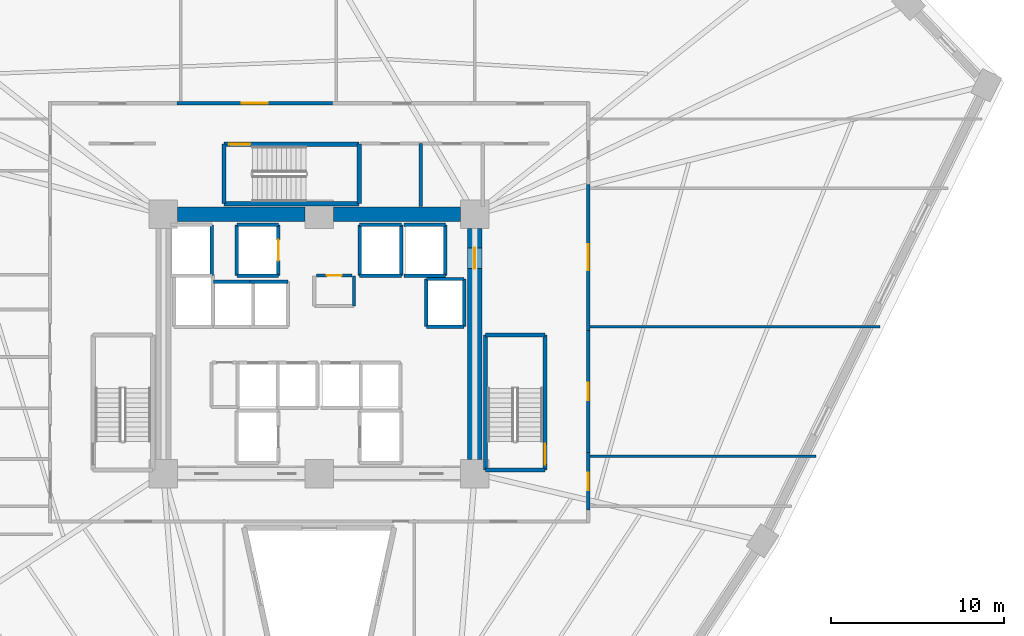
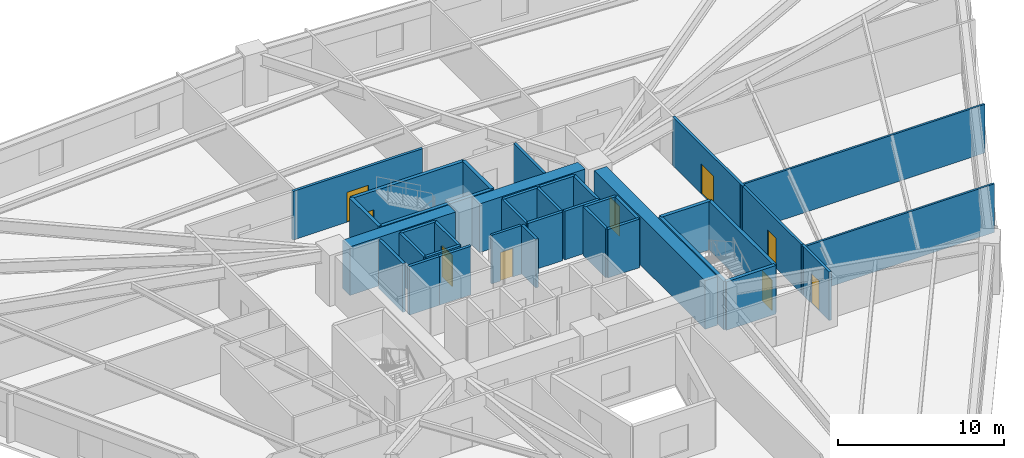
# One storey, part 6 of 9: 38 walls, 9 doors, 9 openings.
"""IFC4 building model written with IfcOpenShell, lengths in metres."""

from ifc_helpers import new_model, si_unit, direction, frame, frame_2d, origin, place, context, subcontext, project, spatial, rectangle, extrude, source, transform, mapped, material, layer, layer_set, type_object, element, fill, save


model = new_model("IFC4")

# Units and contexts
model_context = context("Model", 3, precision=1e-05, world=origin(), true_north=direction((0.0, 1.0)))
body_context = subcontext(model_context, "Body", "Model", "MODEL_VIEW")
ifc_project = project(units=[si_unit("LENGTHUNIT", "METRE"), si_unit("AREAUNIT", "SQUARE_METRE"), si_unit("VOLUMEUNIT", "CUBIC_METRE"), si_unit("PLANEANGLEUNIT", "RADIAN"), si_unit("MASSUNIT", "GRAM", prefix="KILO")], contexts=[model_context])

# Site, building, storey
site_placement = place(None, origin())
site = spatial("IfcSite", under=ifc_project, at=site_placement, CompositionType="ELEMENT")
building_placement = place(site_placement, origin())
building = spatial("IfcBuilding", under=site, at=building_placement, Name="Liaohun Quay Tower", CompositionType="ELEMENT")
storey_placement = place(building_placement, frame((0.0, 0.0, 55.5)))
storey = spatial("IfcBuildingStorey", under=building, at=storey_placement, Name="L14", CompositionType="ELEMENT", Elevation=55.5)

# Walls
ifc_material_1 = material(Name="Concrete C60", Category="concrete")
ifc_layer_1 = layer(ifc_material_1, 0.85009765625, Name="Concrete C60", Category="concrete")
ifc_layer_set_1 = layer_set([ifc_layer_1], Name="Concrete C60")
wall_type_1 = type_object("IfcWallType", Name="WAL-COR-Z1", PredefinedType="SHEAR", material=ifc_layer_set_1)
for number, where, z_axis, x_axis, name in (
    (1, (51.824951171875, 61.5, 0.0), (0.0, 0.0, 1.0), (1.0, 0.0, 0.0), "L14 Central Core Shear Wall N-W"),
    (2, (60.824951171875, 61.5, 0.0), (0.0, 0.0, 1.0), (1.0, 0.0, 0.0), "L14 Central Core Shear Wall N-E"),
):
    element("IfcWall", number, at=place(storey_placement, frame(where, z_axis=z_axis, x_axis=x_axis)), inside=storey, type_object=wall_type_1, Name=name, PredefinedType="SHEAR", context=body_context, shape_type="SweptSolid", body=[
        extrude(rectangle(XDim=7.35009765625, YDim=0.85009765625, at=frame_2d((3.675048828125, 0.0))), origin(), (0.0, 0.0, 1.0), 3.570068359375),
    ])

# Wall, opening, door
wall_1_placement = place(storey_placement, frame((69.0, 60.675048828125, 0.0), z_axis=(0.0, 0.0, 1.0), x_axis=(0.0, -1.0, 0.0)))
wall_1 = element("IfcWall", 3, at=wall_1_placement, inside=storey, type_object=wall_type_1, Name="L14 Central Core Shear Wall E", PredefinedType="SHEAR", context=body_context, shape_type="SweptSolid", body=[
    extrude(rectangle(XDim=13.35009765625, YDim=0.85009765625, at=frame_2d((6.675048828125, 0.0))), origin(), (0.0, 0.0, 1.0), 3.570068359375),
])
shared_shape_1 = source(origin(), body_context, "Body", "SweptSolid", [
    extrude(rectangle(XDim=1.199951171875, YDim=2.199951171875, at=frame_2d((0.60009765625, 1.10009765625))), frame((0.0, 0.43505859375, 0.0), z_axis=(0.0, -1.0, 0.0), x_axis=(1.0, 0.0, 0.0)), (0.0, 0.0, 1.0), 0.8701171875),
])
opening_1_placement = place(wall_1_placement, frame((1.125, 0.0, 0.0)))
opening_1 = element("IfcOpeningElement", 4, at=opening_1_placement, cuts=wall_1, Name="Opening SD1", PredefinedType="OPENING", context=body_context, shape_type="MappedRepresentation", body=[
    mapped(shared_shape_1, transform((0.0, 0.0, 0.0), x_axis=(1.0, 0.0, 0.0), y_axis=(0.0, 1.0, 0.0), z_axis=(0.0, 0.0, 1.0), scale=1.0)),
])
ifc_material_2 = material(Name="Galvanised steel fire door", Category="steel")
door_type_1 = type_object("IfcDoorType", Name="DOR-STR-1200", OperationType="NOTDEFINED", PredefinedType="DOOR", material=ifc_material_2)
shared_shape_2 = source(origin(), body_context, "Body", "SweptSolid", [
    extrude(rectangle(XDim=1.199951171875, YDim=2.199951171875, at=frame_2d((0.60009765625, 1.10009765625))), frame((0.0, 0.02490234375, 0.0), z_axis=(0.0, -1.0, 0.0), x_axis=(1.0, 0.0, 0.0)), (0.0, 0.0, 1.0), 0.050048828125),
])
door_1_placement = place(opening_1_placement, origin())
door_1 = element("IfcDoor", 5, at=door_1_placement, inside=storey, type_object=door_type_1, Name="L14 North-East Core Lobby Smokeproof Door", OperationType="SINGLE_SWING_LEFT", OverallHeight=2.199951171875, OverallWidth=1.199951171875, PredefinedType="DOOR", context=body_context, shape_type="MappedRepresentation", body=[
    mapped(shared_shape_2, transform((0.0, 0.0, 0.0), x_axis=(1.0, 0.0, 0.0), y_axis=(0.0, 1.0, 0.0), z_axis=(0.0, 0.0, 1.0), scale=1.0)),
])
fill(opening_1, door_1)

ifc_material_3 = material(Name="Autoclaved aerated concrete blockwork", Category="masonry")
ifc_layer_2 = layer(ifc_material_3, 0.179931640625, Name="Autoclaved aerated concrete blockwork", Category="masonry")
ifc_layer_set_2 = layer_set([ifc_layer_2], Name="Autoclaved aerated concrete blockwork")
wall_type_2 = type_object("IfcWallType", Name="WAL-PRT-COR", PredefinedType="PARTITIONING", material=ifc_layer_set_2)
wall_2_placement = place(storey_placement, frame((59.840087890625, 57.949951171875, 0.0), z_axis=(0.0, 0.0, 1.0), x_axis=(1.0, 0.0, 0.0)))
wall_2 = element("IfcWall", 6, at=wall_2_placement, inside=storey, type_object=wall_type_2, Name="L14 Interior Partition Wall 001", PredefinedType="PARTITIONING", context=body_context, shape_type="SweptSolid", body=[
    extrude(rectangle(XDim=2.059814453125, YDim=0.179931640625, at=frame_2d((1.02978515625, 0.0))), origin(), (0.0, 0.0, 1.0), 3.570068359375),
])
shared_shape_3 = source(origin(), body_context, "Body", "SweptSolid", [
    extrude(rectangle(XDim=0.85009765625, YDim=2.10009765625, at=frame_2d((0.425048828125, 1.050048828125))), frame((0.0, 0.099853515625, 0.0), z_axis=(0.0, -1.0, 0.0), x_axis=(1.0, 0.0, 0.0)), (0.0, 0.0, 1.0), 0.199951171875),
])
opening_2_placement = place(wall_2_placement, frame((0.60498046875, 0.0, 0.0)))
opening_2 = element("IfcOpeningElement", 7, at=opening_2_placement, cuts=wall_2, Name="Opening AD1", PredefinedType="OPENING", context=body_context, shape_type="MappedRepresentation", body=[
    mapped(shared_shape_3, transform((0.0, 0.0, 0.0), x_axis=(1.0, 0.0, 0.0), y_axis=(0.0, 1.0, 0.0), z_axis=(0.0, 0.0, 1.0), scale=1.0)),
])
ifc_material_4 = material(Name="Steel riser inspection fire door", Category="steel")
door_type_2 = type_object("IfcDoorType", Name="DOR-SHF-850", OperationType="NOTDEFINED", PredefinedType="DOOR", material=ifc_material_4)
shared_shape_4 = source(origin(), body_context, "Body", "SweptSolid", [
    extrude(rectangle(XDim=0.85009765625, YDim=2.10009765625, at=frame_2d((0.425048828125, 1.050048828125))), frame((0.0, 0.02490234375, 0.0), z_axis=(0.0, -1.0, 0.0), x_axis=(1.0, 0.0, 0.0)), (0.0, 0.0, 1.0), 0.050048828125),
])
door_2_placement = place(opening_2_placement, origin())
door_2 = element("IfcDoor", 8, at=door_2_placement, inside=storey, type_object=door_type_2, Name="L14 Core Janitor and Cleaner Store Door", OperationType="SINGLE_SWING_LEFT", OverallHeight=2.10009765625, OverallWidth=0.85009765625, PredefinedType="DOOR", context=body_context, shape_type="MappedRepresentation", body=[
    mapped(shared_shape_4, transform((0.0, 0.0, 0.0), x_axis=(1.0, 0.0, 0.0), y_axis=(0.0, 1.0, 0.0), z_axis=(0.0, 0.0, 1.0), scale=1.0)),
])
fill(opening_2, door_2)

wall_3_placement = place(storey_placement, frame((75.56005859375, 63.215087890625, 0.0), z_axis=(0.0, 0.0, 1.0), x_axis=(0.0, -1.0, 0.0)))
wall_3 = element("IfcWall", 9, at=wall_3_placement, inside=storey, type_object=wall_type_2, Name="L14 Interior Partition Wall 010", PredefinedType="PARTITIONING", context=body_context, shape_type="SweptSolid", body=[
    extrude(rectangle(XDim=8.43017578125, YDim=0.179931640625, at=frame_2d((4.215087890625, 0.0))), origin(), (0.0, 0.0, 1.0), 3.570068359375),
])
shared_shape_5 = source(origin(), body_context, "Body", "SweptSolid", [
    extrude(rectangle(XDim=1.5, YDim=2.199951171875, at=frame_2d((0.75, 1.10009765625))), frame((0.0, 0.099853515625, 0.0), z_axis=(0.0, -1.0, 0.0), x_axis=(1.0, 0.0, 0.0)), (0.0, 0.0, 1.0), 0.199951171875),
])
opening_3_placement = place(wall_3_placement, frame((3.465087890625, 0.0, 0.0)))
opening_3 = element("IfcOpeningElement", 10, at=opening_3_placement, cuts=wall_3, Name="Opening OD2", PredefinedType="OPENING", context=body_context, shape_type="MappedRepresentation", body=[
    mapped(shared_shape_5, transform((0.0, 0.0, 0.0), x_axis=(1.0, 0.0, 0.0), y_axis=(0.0, 1.0, 0.0), z_axis=(0.0, 0.0, 1.0), scale=1.0)),
])
ifc_material_5 = material(Name="Acoustic oak veneer double door")
door_type_3 = type_object("IfcDoorType", Name="DOR-OFF-1500", OperationType="DOUBLE_DOOR_SINGLE_SWING", PredefinedType="DOOR", material=ifc_material_5)
shared_shape_6 = source(origin(), body_context, "Body", "SweptSolid", [
    extrude(rectangle(XDim=1.5, YDim=2.199951171875, at=frame_2d((0.75, 1.10009765625))), frame((0.0, 0.02490234375, 0.0), z_axis=(0.0, -1.0, 0.0), x_axis=(1.0, 0.0, 0.0)), (0.0, 0.0, 1.0), 0.050048828125),
])
door_3_placement = place(opening_3_placement, origin())
door_3 = element("IfcDoor", 11, at=door_3_placement, inside=storey, type_object=door_type_3, Name="L14 Architectural Design Studio 01 Door", OperationType="DOUBLE_DOOR_SINGLE_SWING", OverallHeight=2.199951171875, OverallWidth=1.5, PredefinedType="DOOR", context=body_context, shape_type="MappedRepresentation", body=[
    mapped(shared_shape_6, transform((0.0, 0.0, 0.0), x_axis=(1.0, 0.0, 0.0), y_axis=(0.0, 1.0, 0.0), z_axis=(0.0, 0.0, 1.0), scale=1.0)),
])
fill(opening_3, door_3)

wall_4_placement = place(storey_placement, frame((51.784912109375, 67.909912109375, 0.0), z_axis=(0.0, 0.0, 1.0), x_axis=(1.0, 0.0, 0.0)))
wall_4 = element("IfcWall", 12, at=wall_4_placement, inside=storey, type_object=wall_type_2, Name="L14 Interior Partition Wall 014", PredefinedType="PARTITIONING", context=body_context, shape_type="SweptSolid", body=[
    extrude(rectangle(XDim=9.0, YDim=0.179931640625, at=frame_2d((4.5, 0.0))), origin(), (0.0, 0.0, 1.0), 3.570068359375),
])
opening_4_placement = place(wall_4_placement, frame((3.75, 0.0, 0.0)))
opening_4 = element("IfcOpeningElement", 13, at=opening_4_placement, cuts=wall_4, Name="Opening OD2", PredefinedType="OPENING", context=body_context, shape_type="MappedRepresentation", body=[
    mapped(shared_shape_5, transform((0.0, 0.0, 0.0), x_axis=(1.0, 0.0, 0.0), y_axis=(0.0, 1.0, 0.0), z_axis=(0.0, 0.0, 1.0), scale=1.0)),
])
door_4_placement = place(opening_4_placement, origin())
door_4 = element("IfcDoor", 14, at=door_4_placement, inside=storey, type_object=door_type_3, Name="L14 Digital Prototyping Laboratory 05 Door", OperationType="DOUBLE_DOOR_SINGLE_SWING", OverallHeight=2.199951171875, OverallWidth=1.5, PredefinedType="DOOR", context=body_context, shape_type="MappedRepresentation", body=[
    mapped(shared_shape_6, transform((0.0, 0.0, 0.0), x_axis=(1.0, 0.0, 0.0), y_axis=(0.0, 1.0, 0.0), z_axis=(0.0, 0.0, 1.0), scale=1.0)),
])
fill(opening_4, door_4)

wall_5_placement = place(storey_placement, frame((75.56005859375, 47.715087890625, 0.0), z_axis=(0.0, 0.0, 1.0), x_axis=(0.0, -1.0, 0.0)))
wall_5 = element("IfcWall", 15, at=wall_5_placement, inside=storey, type_object=wall_type_2, Name="L14 Interior Partition Wall 022", PredefinedType="PARTITIONING", context=body_context, shape_type="SweptSolid", body=[
    extrude(rectangle(XDim=3.330078125, YDim=0.179931640625, at=frame_2d((1.6650390625, 0.0))), origin(), (0.0, 0.0, 1.0), 3.570068359375),
])
shared_shape_7 = source(origin(), body_context, "Body", "SweptSolid", [
    extrude(rectangle(XDim=1.0, YDim=2.199951171875, at=frame_2d((0.5, 1.10009765625))), frame((0.0, 0.099853515625, 0.0), z_axis=(0.0, -1.0, 0.0), x_axis=(1.0, 0.0, 0.0)), (0.0, 0.0, 1.0), 0.199951171875),
])
opening_5_placement = place(wall_5_placement, frame((1.1650390625, 0.0, 0.0)))
opening_5 = element("IfcOpeningElement", 16, at=opening_5_placement, cuts=wall_5, Name="Opening OD1", PredefinedType="OPENING", context=body_context, shape_type="MappedRepresentation", body=[
    mapped(shared_shape_7, transform((0.0, 0.0, 0.0), x_axis=(1.0, 0.0, 0.0), y_axis=(0.0, 1.0, 0.0), z_axis=(0.0, 0.0, 1.0), scale=1.0)),
])
ifc_material_6 = material(Name="Solid-core oak veneer timber leaf in steel frame", Category="steel")
door_type_4 = type_object("IfcDoorType", Name="DOR-OFF-1000", OperationType="NOTDEFINED", PredefinedType="DOOR", material=ifc_material_6)
shared_shape_8 = source(origin(), body_context, "Body", "SweptSolid", [
    extrude(rectangle(XDim=1.0, YDim=2.199951171875, at=frame_2d((0.5, 1.10009765625))), frame((0.0, 0.02490234375, 0.0), z_axis=(0.0, -1.0, 0.0), x_axis=(1.0, 0.0, 0.0)), (0.0, 0.0, 1.0), 0.050048828125),
])
door_5_placement = place(opening_5_placement, origin())
door_5 = element("IfcDoor", 17, at=door_5_placement, inside=storey, type_object=door_type_4, Name="L14 Regional Advisory Office 13 Door", OperationType="SINGLE_SWING_RIGHT", OverallHeight=2.199951171875, OverallWidth=1.0, PredefinedType="DOOR", context=body_context, shape_type="MappedRepresentation", body=[
    mapped(shared_shape_8, transform((0.0, 0.0, 0.0), x_axis=(1.0, 0.0, 0.0), y_axis=(0.0, 1.0, 0.0), z_axis=(0.0, 0.0, 1.0), scale=1.0)),
])
fill(opening_5, door_5)

wall_6_placement = place(storey_placement, frame((75.56005859375, 54.784912109375, 0.0), z_axis=(0.0, 0.0, 1.0), x_axis=(0.0, -1.0, 0.0)))
wall_6 = element("IfcWall", 18, at=wall_6_placement, inside=storey, type_object=wall_type_2, Name="L14 Interior Partition Wall 023", PredefinedType="PARTITIONING", context=body_context, shape_type="SweptSolid", body=[
    extrude(rectangle(XDim=7.06982421875, YDim=0.179931640625, at=frame_2d((3.534912109375, 0.0))), origin(), (0.0, 0.0, 1.0), 3.570068359375),
])
opening_6_placement = place(wall_6_placement, frame((3.034912109375, 0.0, 0.0)))
opening_6 = element("IfcOpeningElement", 19, at=opening_6_placement, cuts=wall_6, Name="Opening OD1", PredefinedType="OPENING", context=body_context, shape_type="MappedRepresentation", body=[
    mapped(shared_shape_7, transform((0.0, 0.0, 0.0), x_axis=(1.0, 0.0, 0.0), y_axis=(0.0, 1.0, 0.0), z_axis=(0.0, 0.0, 1.0), scale=1.0)),
])
door_6_placement = place(opening_6_placement, origin())
door_6 = element("IfcDoor", 20, at=door_6_placement, inside=storey, type_object=door_type_4, Name="L14 Project Operations Office 14 Door", OperationType="SINGLE_SWING_LEFT", OverallHeight=2.199951171875, OverallWidth=1.0, PredefinedType="DOOR", context=body_context, shape_type="MappedRepresentation", body=[
    mapped(shared_shape_8, transform((0.0, 0.0, 0.0), x_axis=(1.0, 0.0, 0.0), y_axis=(0.0, 1.0, 0.0), z_axis=(0.0, 0.0, 1.0), scale=1.0)),
])
fill(opening_6, door_6)

# Walls
wall_7_placement = place(storey_placement, frame((62.010009765625, 56.179931640625, 0.0), z_axis=(0.0, 0.0, 1.0), x_axis=(0.0, 1.0, 0.0)))
element("IfcWall", 21, at=wall_7_placement, inside=storey, type_object=wall_type_2, Name="L14 Interior Partition Wall 025", PredefinedType="PARTITIONING", context=body_context, shape_type="SweptSolid", body=[
    extrude(rectangle(XDim=1.739990234375, YDim=0.179931640625, at=frame_2d((0.8701171875, 0.0))), origin(), (0.0, 0.0, 1.0), 3.570068359375),
])
wall_8_placement = place(storey_placement, frame((65.8798828125, 61.949951171875, 0.0), z_axis=(0.0, 0.0, 1.0), x_axis=(0.0, 1.0, 0.0)))
element("IfcWall", 22, at=wall_8_placement, inside=storey, type_object=wall_type_2, Name="L14 Interior Partition Wall 034", PredefinedType="PARTITIONING", context=body_context, shape_type="SweptSolid", body=[
    extrude(rectangle(XDim=3.630126953125, YDim=0.179931640625, at=frame_2d((1.81494140625, 0.0))), origin(), (0.0, 0.0, 1.0), 3.570068359375),
])
ifc_material_7 = material(Name="Gypsum board on twin steel studs", Category="steel")
ifc_layer_3 = layer(ifc_material_7, 0.139892578125, Name="Gypsum board on twin steel studs", Category="steel")
ifc_layer_set_3 = layer_set([ifc_layer_3], Name="Gypsum board on twin steel studs")
wall_type_3 = type_object("IfcWallType", Name="WAL-PRT-OFF", PredefinedType="PARTITIONING", material=ifc_layer_set_3)
wall_9_placement = place(storey_placement, frame((75.4599609375, 47.5, 0.0), z_axis=(0.0, 0.0, 1.0), x_axis=(1.0, 0.0, 0.0)))
element("IfcWall", 23, at=wall_9_placement, inside=storey, type_object=wall_type_3, Name="L14 Interior Partition Wall 047", PredefinedType="PARTITIONING", context=body_context, shape_type="SweptSolid", body=[
    extrude(rectangle(XDim=13.27294921875, YDim=0.139892578125, at=frame_2d((6.636474609375, 0.0))), origin(), (0.0, 0.0, 1.0), 3.570068359375),
])
wall_10_placement = place(storey_placement, frame((75.4599609375, 55.0, 0.0), z_axis=(0.0, 0.0, 1.0), x_axis=(1.0, 0.0, 0.0)))
element("IfcWall", 24, at=wall_10_placement, inside=storey, type_object=wall_type_3, Name="L14 Interior Partition Wall 048", PredefinedType="PARTITIONING", context=body_context, shape_type="SweptSolid", body=[
    extrude(rectangle(XDim=16.958984375, YDim=0.139892578125, at=frame_2d((8.4794921875, 0.0))), origin(), (0.0, 0.0, 1.0), 3.570068359375),
])
ifc_material_8 = material(Name="Concrete C50", Category="concrete")
ifc_layer_4 = layer(ifc_material_8, 0.239990234375, Name="Concrete C50", Category="concrete")
ifc_layer_set_4 = layer_set([ifc_layer_4], Name="Concrete C50")
wall_type_4 = type_object("IfcWallType", Name="WAL-SHF-200", PredefinedType="SOLIDWALL", material=ifc_layer_set_4)
wall_11_placement = place(storey_placement, frame((69.6201171875, 46.699951171875, 0.0), z_axis=(0.0, 0.0, 1.0), x_axis=(1.0, 0.0, 0.0)))
element("IfcWall", 25, at=wall_11_placement, inside=storey, type_object=wall_type_4, Name="L14 Stairwell ST-2 Structural Core Wall S", PredefinedType="SOLIDWALL", context=body_context, shape_type="SweptSolid", body=[
    extrude(rectangle(XDim=3.43994140625, YDim=0.239990234375, at=frame_2d((1.719970703125, 0.0))), origin(), (0.0, 0.0, 1.0), 3.570068359375),
])

# Wall, opening, door
wall_12_placement = place(storey_placement, frame((73.06005859375, 46.699951171875, 0.0), z_axis=(0.0, 0.0, 1.0), x_axis=(0.0, 1.0, 0.0)))
wall_12 = element("IfcWall", 26, at=wall_12_placement, inside=storey, type_object=wall_type_4, Name="L14 Stairwell ST-2 Structural Core Wall E", PredefinedType="SOLIDWALL", context=body_context, shape_type="SweptSolid", body=[
    extrude(rectangle(XDim=7.820068359375, YDim=0.239990234375, at=frame_2d((3.91015625, 0.0))), origin(), (0.0, 0.0, 1.0), 3.570068359375),
])
shared_shape_9 = source(origin(), body_context, "Body", "SweptSolid", [
    extrude(rectangle(XDim=1.199951171875, YDim=2.199951171875, at=frame_2d((0.60009765625, 1.10009765625))), frame((0.0, 0.1298828125, 0.0), z_axis=(0.0, -1.0, 0.0), x_axis=(1.0, 0.0, 0.0)), (0.0, 0.0, 1.0), 0.260009765625),
])
opening_7_placement = place(wall_12_placement, frame((0.320068359375, 0.0, 0.0)))
opening_7 = element("IfcOpeningElement", 27, at=opening_7_placement, cuts=wall_12, Name="Opening SD1", PredefinedType="OPENING", context=body_context, shape_type="MappedRepresentation", body=[
    mapped(shared_shape_9, transform((0.0, 0.0, 0.0), x_axis=(1.0, 0.0, 0.0), y_axis=(0.0, 1.0, 0.0), z_axis=(0.0, 0.0, 1.0), scale=1.0)),
])
door_7_placement = place(opening_7_placement, origin())
door_7 = element("IfcDoor", 28, at=door_7_placement, inside=storey, type_object=door_type_1, Name="L14 Protected Stair ST-2 Fire Door", OperationType="SINGLE_SWING_RIGHT", OverallHeight=2.199951171875, OverallWidth=1.199951171875, PredefinedType="DOOR", context=body_context, shape_type="MappedRepresentation", body=[
    mapped(shared_shape_2, transform((0.0, 0.0, 0.0), x_axis=(1.0, 0.0, 0.0), y_axis=(0.0, 1.0, 0.0), z_axis=(0.0, 0.0, 1.0), scale=1.0)),
])
fill(opening_7, door_7)

# Walls
wall_13_placement = place(storey_placement, frame((73.06005859375, 54.52001953125, 0.0), z_axis=(0.0, 0.0, 1.0), x_axis=(-1.0, 0.0, 0.0)))
element("IfcWall", 29, at=wall_13_placement, inside=storey, type_object=wall_type_4, Name="L14 Stairwell ST-2 Structural Core Wall N", PredefinedType="SOLIDWALL", context=body_context, shape_type="SweptSolid", body=[
    extrude(rectangle(XDim=3.43994140625, YDim=0.239990234375, at=frame_2d((1.719970703125, 0.0))), origin(), (0.0, 0.0, 1.0), 3.570068359375),
])
for number, where, z_axis, x_axis, name in (
    (30, (69.6201171875, 54.52001953125, 0.0), (0.0, 0.0, 1.0), (0.0, -1.0, 0.0), "L14 Stairwell ST-2 Structural Core Wall W"),
    (31, (54.5, 62.10009765625, 0.0), (0.0, 0.0, 1.0), (1.0, 0.0, 0.0), "L14 Stairwell ST-3 Structural Core Wall S"),
):
    element("IfcWall", number, at=place(storey_placement, frame(where, z_axis=z_axis, x_axis=x_axis)), inside=storey, type_object=wall_type_4, Name=name, PredefinedType="SOLIDWALL", context=body_context, shape_type="SweptSolid", body=[
        extrude(rectangle(XDim=7.820068359375, YDim=0.239990234375, at=frame_2d((3.91015625, 0.0))), origin(), (0.0, 0.0, 1.0), 3.570068359375),
    ])
wall_14_placement = place(storey_placement, frame((62.320068359375, 62.10009765625, 0.0), z_axis=(0.0, 0.0, 1.0), x_axis=(0.0, 1.0, 0.0)))
element("IfcWall", 32, at=wall_14_placement, inside=storey, type_object=wall_type_4, Name="L14 Stairwell ST-3 Structural Core Wall E", PredefinedType="SOLIDWALL", context=body_context, shape_type="SweptSolid", body=[
    extrude(rectangle(XDim=3.43994140625, YDim=0.239990234375, at=frame_2d((1.719970703125, 0.0))), origin(), (0.0, 0.0, 1.0), 3.570068359375),
])

# Wall, opening, door
wall_15_placement = place(storey_placement, frame((62.320068359375, 65.5400390625, 0.0), z_axis=(0.0, 0.0, 1.0), x_axis=(-1.0, 0.0, 0.0)))
wall_15 = element("IfcWall", 33, at=wall_15_placement, inside=storey, type_object=wall_type_4, Name="L14 Stairwell ST-3 Structural Core Wall N", PredefinedType="SOLIDWALL", context=body_context, shape_type="SweptSolid", body=[
    extrude(rectangle(XDim=7.820068359375, YDim=0.239990234375, at=frame_2d((3.91015625, 0.0))), origin(), (0.0, 0.0, 1.0), 3.570068359375),
])
opening_8_placement = place(wall_15_placement, frame((6.300048828125, 0.0, 0.0)))
opening_8 = element("IfcOpeningElement", 34, at=opening_8_placement, cuts=wall_15, Name="Opening SD1", PredefinedType="OPENING", context=body_context, shape_type="MappedRepresentation", body=[
    mapped(shared_shape_9, transform((0.0, 0.0, 0.0), x_axis=(1.0, 0.0, 0.0), y_axis=(0.0, 1.0, 0.0), z_axis=(0.0, 0.0, 1.0), scale=1.0)),
])
door_8_placement = place(opening_8_placement, origin())
door_8 = element("IfcDoor", 35, at=door_8_placement, inside=storey, type_object=door_type_1, Name="L14 Protected Stair ST-3 Fire Door", OperationType="SINGLE_SWING_RIGHT", OverallHeight=2.199951171875, OverallWidth=1.199951171875, PredefinedType="DOOR", context=body_context, shape_type="MappedRepresentation", body=[
    mapped(shared_shape_2, transform((0.0, 0.0, 0.0), x_axis=(1.0, 0.0, 0.0), y_axis=(0.0, 1.0, 0.0), z_axis=(0.0, 0.0, 1.0), scale=1.0)),
])
fill(opening_8, door_8)

# Walls
wall_16_placement = place(storey_placement, frame((54.5, 65.5400390625, 0.0), z_axis=(0.0, 0.0, 1.0), x_axis=(0.0, -1.0, 0.0)))
element("IfcWall", 36, at=wall_16_placement, inside=storey, type_object=wall_type_4, Name="L14 Stairwell ST-3 Structural Core Wall W", PredefinedType="SOLIDWALL", context=body_context, shape_type="SweptSolid", body=[
    extrude(rectangle(XDim=3.43994140625, YDim=0.239990234375, at=frame_2d((1.719970703125, 0.0))), origin(), (0.0, 0.0, 1.0), 3.570068359375),
])
wall_17_placement = place(storey_placement, frame((55.25, 57.949951171875, 0.0), z_axis=(0.0, 0.0, 1.0), x_axis=(1.0, 0.0, 0.0)))
element("IfcWall", 37, at=wall_17_placement, inside=storey, type_object=wall_type_4, Name="L14 Lift FF-03 Hoistway Wall S", PredefinedType="SOLIDWALL", context=body_context, shape_type="SweptSolid", body=[
    extrude(rectangle(XDim=2.39990234375, YDim=0.199951171875, at=frame_2d((1.199951171875, 0.0))), origin(), (0.0, 0.0, 1.0), 3.570068359375),
])

# Wall, opening, door
wall_18_placement = place(storey_placement, frame((57.64990234375, 57.949951171875, 0.0), z_axis=(0.0, 0.0, 1.0), x_axis=(0.0, 1.0, 0.0)))
wall_18 = element("IfcWall", 38, at=wall_18_placement, inside=storey, type_object=wall_type_4, Name="L14 Lift FF-03 Hoistway Wall E", PredefinedType="SOLIDWALL", context=body_context, shape_type="SweptSolid", body=[
    extrude(rectangle(XDim=2.929931640625, YDim=0.199951171875, at=frame_2d((1.46484375, 0.0))), origin(), (0.0, 0.0, 1.0), 3.570068359375),
])
shared_shape_10 = source(origin(), body_context, "Body", "SweptSolid", [
    extrude(rectangle(XDim=1.199951171875, YDim=2.300048828125, at=frame_2d((0.60009765625, 1.14990234375))), frame((0.0, 0.10986328125, 0.0), z_axis=(0.0, -1.0, 0.0), x_axis=(1.0, 0.0, 0.0)), (0.0, 0.0, 1.0), 0.219970703125),
])
opening_9_placement = place(wall_18_placement, frame((0.864990234375, 0.0, 0.0)))
opening_9 = element("IfcOpeningElement", 39, at=opening_9_placement, cuts=wall_18, Name="Opening LD2", PredefinedType="OPENING", context=body_context, shape_type="MappedRepresentation", body=[
    mapped(shared_shape_10, transform((0.0, 0.0, 0.0), x_axis=(1.0, 0.0, 0.0), y_axis=(0.0, 1.0, 0.0), z_axis=(0.0, 0.0, 1.0), scale=1.0)),
])
ifc_material_9 = material(Name="Brushed stainless steel stretcher landing door", Category="steel")
door_type_5 = type_object("IfcDoorType", Name="DOR-LFT-1200", OperationType="SLIDING_TO_LEFT", PredefinedType="DOOR", material=ifc_material_9)
shared_shape_11 = source(origin(), body_context, "Body", "SweptSolid", [
    extrude(rectangle(XDim=1.199951171875, YDim=2.300048828125, at=frame_2d((0.60009765625, 1.14990234375))), frame((0.0, 0.02490234375, 0.0), z_axis=(0.0, -1.0, 0.0), x_axis=(1.0, 0.0, 0.0)), (0.0, 0.0, 1.0), 0.050048828125),
])
door_9_placement = place(opening_9_placement, origin())
door_9 = element("IfcDoor", 40, at=door_9_placement, inside=storey, type_object=door_type_5, Name="L14 Lift FF-03 Sliding Landing Door", OperationType="SLIDING_TO_LEFT", OverallHeight=2.300048828125, OverallWidth=1.199951171875, PredefinedType="DOOR", context=body_context, shape_type="MappedRepresentation", body=[
    mapped(shared_shape_11, transform((0.0, 0.0, 0.0), x_axis=(1.0, 0.0, 0.0), y_axis=(0.0, 1.0, 0.0), z_axis=(0.0, 0.0, 1.0), scale=1.0)),
])
fill(opening_9, door_9)

# Walls
wall_19_placement = place(storey_placement, frame((57.64990234375, 60.8798828125, 0.0), z_axis=(0.0, 0.0, 1.0), x_axis=(-1.0, 0.0, 0.0)))
element("IfcWall", 41, at=wall_19_placement, inside=storey, type_object=wall_type_4, Name="L14 Lift FF-03 Hoistway Wall N", PredefinedType="SOLIDWALL", context=body_context, shape_type="SweptSolid", body=[
    extrude(rectangle(XDim=2.39990234375, YDim=0.199951171875, at=frame_2d((1.199951171875, 0.0))), origin(), (0.0, 0.0, 1.0), 3.570068359375),
])
wall_20_placement = place(storey_placement, frame((55.25, 60.8798828125, 0.0), z_axis=(0.0, 0.0, 1.0), x_axis=(0.0, -1.0, 0.0)))
element("IfcWall", 42, at=wall_20_placement, inside=storey, type_object=wall_type_4, Name="L14 Lift FF-03 Hoistway Wall W", PredefinedType="SOLIDWALL", context=body_context, shape_type="SweptSolid", body=[
    extrude(rectangle(XDim=2.929931640625, YDim=0.199951171875, at=frame_2d((1.46484375, 0.0))), origin(), (0.0, 0.0, 1.0), 3.570068359375),
])
wall_21_placement = place(storey_placement, frame((62.35009765625, 57.949951171875, 0.0), z_axis=(0.0, 0.0, 1.0), x_axis=(1.0, 0.0, 0.0)))
element("IfcWall", 43, at=wall_21_placement, inside=storey, type_object=wall_type_4, Name="L14 Lift OB-01 Hoistway Wall S", PredefinedType="SOLIDWALL", context=body_context, shape_type="SweptSolid", body=[
    extrude(rectangle(XDim=2.39990234375, YDim=0.199951171875, at=frame_2d((1.199951171875, 0.0))), origin(), (0.0, 0.0, 1.0), 3.570068359375),
])
wall_22_placement = place(storey_placement, frame((64.75, 57.949951171875, 0.0), z_axis=(0.0, 0.0, 1.0), x_axis=(0.0, 1.0, 0.0)))
element("IfcWall", 44, at=wall_22_placement, inside=storey, type_object=wall_type_4, Name="L14 Lift OB-01 Hoistway Wall E", PredefinedType="SOLIDWALL", context=body_context, shape_type="SweptSolid", body=[
    extrude(rectangle(XDim=2.929931640625, YDim=0.199951171875, at=frame_2d((1.46484375, 0.0))), origin(), (0.0, 0.0, 1.0), 3.570068359375),
])
wall_23_placement = place(storey_placement, frame((64.75, 60.8798828125, 0.0), z_axis=(0.0, 0.0, 1.0), x_axis=(-1.0, 0.0, 0.0)))
element("IfcWall", 45, at=wall_23_placement, inside=storey, type_object=wall_type_4, Name="L14 Lift OB-01 Hoistway Wall N", PredefinedType="SOLIDWALL", context=body_context, shape_type="SweptSolid", body=[
    extrude(rectangle(XDim=2.39990234375, YDim=0.199951171875, at=frame_2d((1.199951171875, 0.0))), origin(), (0.0, 0.0, 1.0), 3.570068359375),
])
wall_24_placement = place(storey_placement, frame((62.35009765625, 60.8798828125, 0.0), z_axis=(0.0, 0.0, 1.0), x_axis=(0.0, -1.0, 0.0)))
element("IfcWall", 46, at=wall_24_placement, inside=storey, type_object=wall_type_4, Name="L14 Lift OB-01 Hoistway Wall W", PredefinedType="SOLIDWALL", context=body_context, shape_type="SweptSolid", body=[
    extrude(rectangle(XDim=2.929931640625, YDim=0.199951171875, at=frame_2d((1.46484375, 0.0))), origin(), (0.0, 0.0, 1.0), 3.570068359375),
])
wall_25_placement = place(storey_placement, frame((64.89990234375, 57.949951171875, 0.0), z_axis=(0.0, 0.0, 1.0), x_axis=(1.0, 0.0, 0.0)))
element("IfcWall", 47, at=wall_25_placement, inside=storey, type_object=wall_type_4, Name="L14 Lift OB-02 Hoistway Wall S", PredefinedType="SOLIDWALL", context=body_context, shape_type="SweptSolid", body=[
    extrude(rectangle(XDim=2.400146484375, YDim=0.199951171875, at=frame_2d((1.2001953125, 0.0))), origin(), (0.0, 0.0, 1.0), 3.570068359375),
])
wall_26_placement = place(storey_placement, frame((67.300048828125, 57.949951171875, 0.0), z_axis=(0.0, 0.0, 1.0), x_axis=(0.0, 1.0, 0.0)))
element("IfcWall", 48, at=wall_26_placement, inside=storey, type_object=wall_type_4, Name="L14 Lift OB-02 Hoistway Wall E", PredefinedType="SOLIDWALL", context=body_context, shape_type="SweptSolid", body=[
    extrude(rectangle(XDim=2.929931640625, YDim=0.199951171875, at=frame_2d((1.46484375, 0.0))), origin(), (0.0, 0.0, 1.0), 3.570068359375),
])
wall_27_placement = place(storey_placement, frame((67.300048828125, 60.8798828125, 0.0), z_axis=(0.0, 0.0, 1.0), x_axis=(-1.0, 0.0, 0.0)))
element("IfcWall", 49, at=wall_27_placement, inside=storey, type_object=wall_type_4, Name="L14 Lift OB-02 Hoistway Wall N", PredefinedType="SOLIDWALL", context=body_context, shape_type="SweptSolid", body=[
    extrude(rectangle(XDim=2.400146484375, YDim=0.199951171875, at=frame_2d((1.2001953125, 0.0))), origin(), (0.0, 0.0, 1.0), 3.570068359375),
])
wall_28_placement = place(storey_placement, frame((53.800048828125, 57.949951171875, 0.0), z_axis=(0.0, 0.0, 1.0), x_axis=(0.0, 1.0, 0.0)))
element("IfcWall", 50, at=wall_28_placement, inside=storey, type_object=wall_type_4, Name="L14 Lift SH-01 Hoistway Wall E", PredefinedType="SOLIDWALL", context=body_context, shape_type="SweptSolid", body=[
    extrude(rectangle(XDim=2.929931640625, YDim=0.199951171875, at=frame_2d((1.46484375, 0.0))), origin(), (0.0, 0.0, 1.0), 3.570068359375),
])
wall_29_placement = place(storey_placement, frame((66.199951171875, 55.0, 0.0), z_axis=(0.0, 0.0, 1.0), x_axis=(1.0, 0.0, 0.0)))
element("IfcWall", 51, at=wall_29_placement, inside=storey, type_object=wall_type_4, Name="L14 Lift SH-03 Hoistway Wall S", PredefinedType="SOLIDWALL", context=body_context, shape_type="SweptSolid", body=[
    extrude(rectangle(XDim=2.179931640625, YDim=0.199951171875, at=frame_2d((1.08984375, 0.0))), origin(), (0.0, 0.0, 1.0), 3.570068359375),
])
wall_30_placement = place(storey_placement, frame((68.3798828125, 55.0, 0.0), z_axis=(0.0, 0.0, 1.0), x_axis=(0.0, 1.0, 0.0)))
element("IfcWall", 52, at=wall_30_placement, inside=storey, type_object=wall_type_4, Name="L14 Lift SH-03 Hoistway Wall E", PredefinedType="SOLIDWALL", context=body_context, shape_type="SweptSolid", body=[
    extrude(rectangle(XDim=2.75, YDim=0.199951171875, at=frame_2d((1.375, 0.0))), origin(), (0.0, 0.0, 1.0), 3.570068359375),
])
wall_31_placement = place(storey_placement, frame((68.3798828125, 57.75, 0.0), z_axis=(0.0, 0.0, 1.0), x_axis=(-1.0, 0.0, 0.0)))
element("IfcWall", 53, at=wall_31_placement, inside=storey, type_object=wall_type_4, Name="L14 Lift SH-03 Hoistway Wall N", PredefinedType="SOLIDWALL", context=body_context, shape_type="SweptSolid", body=[
    extrude(rectangle(XDim=2.179931640625, YDim=0.199951171875, at=frame_2d((1.08984375, 0.0))), origin(), (0.0, 0.0, 1.0), 3.570068359375),
])
wall_32_placement = place(storey_placement, frame((66.199951171875, 57.75, 0.0), z_axis=(0.0, 0.0, 1.0), x_axis=(0.0, -1.0, 0.0)))
element("IfcWall", 54, at=wall_32_placement, inside=storey, type_object=wall_type_4, Name="L14 Lift SH-03 Hoistway Wall W", PredefinedType="SOLIDWALL", context=body_context, shape_type="SweptSolid", body=[
    extrude(rectangle(XDim=2.75, YDim=0.199951171875, at=frame_2d((1.375, 0.0))), origin(), (0.0, 0.0, 1.0), 3.570068359375),
])
wall_33_placement = place(storey_placement, frame((56.199951171875, 57.60009765625, 0.0), z_axis=(0.0, 0.0, 1.0), x_axis=(-1.0, 0.0, 0.0)))
element("IfcWall", 55, at=wall_33_placement, inside=storey, type_object=wall_type_4, Name="L14 Lift PL-2B Hoistway Wall N", PredefinedType="SOLIDWALL", context=body_context, shape_type="SweptSolid", body=[
    extrude(rectangle(XDim=2.300048828125, YDim=0.199951171875, at=frame_2d((1.14990234375, 0.0))), origin(), (0.0, 0.0, 1.0), 3.570068359375),
])
wall_34_placement = place(storey_placement, frame((58.199951171875, 57.60009765625, 0.0), z_axis=(0.0, 0.0, 1.0), x_axis=(-1.0, 0.0, 0.0)))
element("IfcWall", 56, at=wall_34_placement, inside=storey, type_object=wall_type_4, Name="L14 Lift PL-2C Hoistway Wall N", PredefinedType="SOLIDWALL", context=body_context, shape_type="SweptSolid", body=[
    extrude(rectangle(XDim=2.199951171875, YDim=0.199951171875, at=frame_2d((1.10009765625, 0.0))), origin(), (0.0, 0.0, 1.0), 3.570068359375),
])

save(model, "model.ifc")
